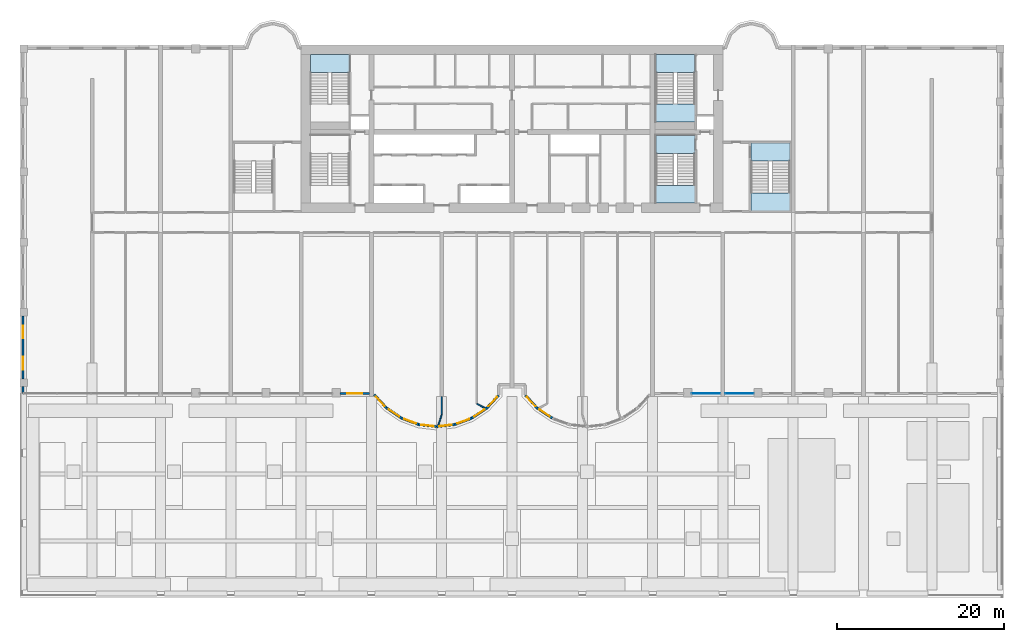
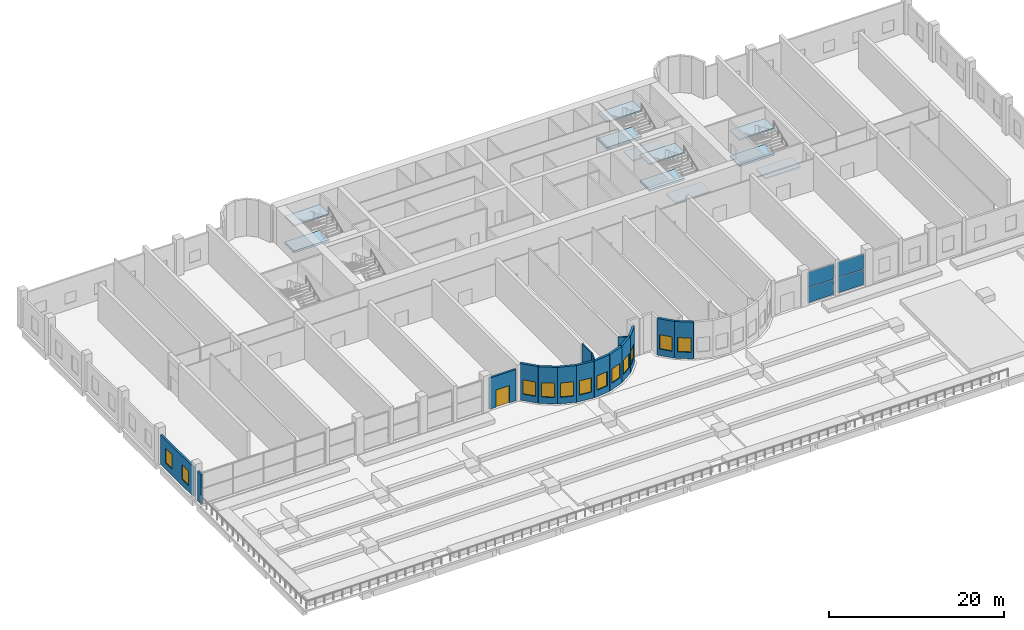
# One storey, part 8 of 20: 16 walls, 12 windows, 11 slabs, 4 plates, 1 door, 13 openings, 6 elements without a shape of their own.
"""IFC4 building model written with IfcOpenShell, lengths in metres."""

from ifc_helpers import new_model, si_unit, direction, frame, frame_2d, origin, origin_2d, place, context, subcontext, project, spatial, polyline, rectangle, outline, extrude, source, transform, mapped, material, layer, layer_set, type_object, element, fill, aggregate, save


model = new_model("IFC4")

# Units and contexts
model_context = context("Model", 3, precision=1e-05, world=origin(), true_north=direction((0.0, 1.0)))
body_context = subcontext(model_context, "Body", "Model", "MODEL_VIEW")
ifc_project = project(units=[si_unit("LENGTHUNIT", "METRE"), si_unit("AREAUNIT", "SQUARE_METRE"), si_unit("VOLUMEUNIT", "CUBIC_METRE"), si_unit("PLANEANGLEUNIT", "RADIAN"), si_unit("MASSUNIT", "GRAM", prefix="KILO")], contexts=[model_context])

# Site, building, storey
site_placement = place(None, origin())
site = spatial("IfcSite", under=ifc_project, at=site_placement, CompositionType="ELEMENT")
building_placement = place(site_placement, origin())
building = spatial("IfcBuilding", under=site, at=building_placement, Name="Vanashikhar Sky Hotel", CompositionType="ELEMENT")
storey_placement = place(building_placement, frame((0.0, 0.0, 6.0)))
storey = spatial("IfcBuildingStorey", under=building, at=storey_placement, Name="L01", CompositionType="ELEMENT", Elevation=6.0)

# Curtain wall, plates
ifc_material_1 = material(Name="Glass", Category="glass")
ifc_layer_1 = layer(ifc_material_1, 0.159912109375)
ifc_layer_set_1 = layer_set([ifc_layer_1], Name="Garden lounge curtain wall")
curtain_wall_type = type_object("IfcCurtainWallType", Name="Garden lounge curtain wall", PredefinedType="NOTDEFINED", material=ifc_layer_set_1)
curtain_wall_1_placement = place(storey_placement, origin())
curtain_wall_1 = element("IfcCurtainWall", 1, at=curtain_wall_1_placement, inside=storey, type_object=curtain_wall_type, Name="Garden lounge curtain wall", PredefinedType="NOTDEFINED")
ifc_layer_2 = layer(ifc_material_1, 0.028076171875)
ifc_layer_set_2 = layer_set([ifc_layer_2], Name="Podium curtain wall panel 28")
plate_type = type_object("IfcPlateType", Name="Podium curtain wall panel 28", PredefinedType="CURTAIN_PANEL", material=ifc_layer_set_2)
shared_shape_1 = source(origin(), body_context, "Body", "SweptSolid", [
    extrude(rectangle(XDim=3.405029296875, YDim=0.028076171875, at=origin_2d()), origin(), (0.0, 0.0, 1.0), 2.094970703125),
])
plate_1_placement = place(storey_placement, frame((73.612548828125, 0.375, 0.06005859375), z_axis=(0.0, 0.0, 1.0), x_axis=(1.0, 0.0, 0.0)))
plate_1 = element("IfcPlate", 2, at=plate_1_placement, type_object=plate_type, Name="CW-2.101 panel 1.1", PredefinedType="CURTAIN_PANEL", context=body_context, shape_type="MappedRepresentation", body=[
    mapped(shared_shape_1, transform((0.0, 0.0, 0.0), scale=1.0)),
])
plate_2_placement = place(storey_placement, frame((73.612548828125, 0.375, 2.21484375), z_axis=(0.0, 0.0, 1.0), x_axis=(1.0, 0.0, 0.0)))
plate_2 = element("IfcPlate", 3, at=plate_2_placement, type_object=plate_type, Name="CW-2.101 panel 1.2", PredefinedType="CURTAIN_PANEL", context=body_context, shape_type="MappedRepresentation", body=[
    mapped(shared_shape_1, transform((0.0, 0.0, 0.0), scale=1.0)),
])
aggregate(curtain_wall_1, [plate_1, plate_2])

curtain_wall_2_placement = place(storey_placement, origin())
curtain_wall_2 = element("IfcCurtainWall", 4, at=curtain_wall_2_placement, inside=storey, type_object=curtain_wall_type, Name="Garden lounge curtain wall", PredefinedType="NOTDEFINED")
plate_3_placement = place(storey_placement, frame((77.58740234375, 0.375, 0.06005859375), z_axis=(0.0, 0.0, 1.0), x_axis=(1.0, 0.0, 0.0)))
plate_3 = element("IfcPlate", 5, at=plate_3_placement, type_object=plate_type, Name="CW-2.102 panel 1.1", PredefinedType="CURTAIN_PANEL", context=body_context, shape_type="MappedRepresentation", body=[
    mapped(shared_shape_1, transform((0.0, 0.0, 0.0), scale=1.0)),
])
plate_4_placement = place(storey_placement, frame((77.58740234375, 0.375, 2.21484375), z_axis=(0.0, 0.0, 1.0), x_axis=(1.0, 0.0, 0.0)))
plate_4 = element("IfcPlate", 6, at=plate_4_placement, type_object=plate_type, Name="CW-2.102 panel 1.2", PredefinedType="CURTAIN_PANEL", context=body_context, shape_type="MappedRepresentation", body=[
    mapped(shared_shape_1, transform((0.0, 0.0, 0.0), scale=1.0)),
])
aggregate(curtain_wall_2, [plate_3, plate_4])

# Stair, slabs
ifc_material_2 = material(Name="Concrete M40", Category="concrete")
stair_type = type_object("IfcStairType", Name="Exit stair 2150", PredefinedType="DOUBLE_RETURN_STAIR", material=ifc_material_2)
stair_1_placement = place(storey_placement, origin())
stair_1 = element("IfcStair", 7, at=stair_1_placement, inside=storey, type_object=stair_type, Name="L01 Exit stair 2", PredefinedType="DOUBLE_RETURN_STAIR")
ifc_layer_3 = layer(ifc_material_2, 0.199951171875)
ifc_layer_set_3 = layer_set([ifc_layer_3], Name="Stair landing 200")
slab_type_1 = type_object("IfcSlabType", Name="Stair landing 200", PredefinedType="LANDING", material=ifc_layer_set_3)
shared_shape_2 = source(origin(), body_context, "Body", "SweptSolid", [
    extrude(outline(polyline([(72.25, 23.10009765625), (72.25, 25.25), (67.60009765625, 25.25), (67.60009765625, 23.10009765625), (72.25, 23.10009765625)])), origin(), (0.0, 0.0, 1.0), 0.199951171875),
])
slab_1_placement = place(storey_placement, frame((0.0, 0.0, 1.60009765625)))
slab_1 = element("IfcSlab", 8, at=slab_1_placement, type_object=slab_type_1, Name="ST-C2 landing 1", PredefinedType="LANDING", context=body_context, shape_type="MappedRepresentation", body=[
    mapped(shared_shape_2, transform((0.0, 0.0, 0.0), scale=1.0)),
])
shared_shape_3 = source(origin(), body_context, "Body", "SweptSolid", [
    extrude(outline(polyline([(72.25, 29.050048828125), (72.25, 31.199951171875), (67.60009765625, 31.199951171875), (67.60009765625, 29.050048828125), (72.25, 29.050048828125)])), origin(), (0.0, 0.0, 1.0), 0.2001953125),
])
slab_2_placement = place(storey_placement, frame((0.0, 0.0, 3.39990234375)))
slab_2 = element("IfcSlab", 9, at=slab_2_placement, type_object=slab_type_1, Name="ST-C2 landing 2", PredefinedType="LANDING", context=body_context, shape_type="MappedRepresentation", body=[
    mapped(shared_shape_3, transform((0.0, 0.0, 0.0), scale=1.0)),
])
aggregate(stair_1, [slab_1, slab_2])

# Slab
ifc_layer_4 = layer(ifc_material_2, 0.280029296875)
ifc_layer_set_4 = layer_set([ifc_layer_4], Name="Stair floor landing 280")
slab_type_2 = type_object("IfcSlabType", Name="Stair floor landing 280", PredefinedType="LANDING", material=ifc_layer_set_4)
shared_shape_4 = source(origin(), body_context, "Body", "SweptSolid", [
    extrude(outline(polyline([(72.25, 29.050048828125), (72.25, 31.199951171875), (67.60009765625, 31.199951171875), (67.60009765625, 29.050048828125), (72.25, 29.050048828125)])), origin(), (0.0, 0.0, 1.0), 0.280029296875),
])
slab_3_placement = place(storey_placement, frame((0.0, 0.0, -0.280029296875)))
element("IfcSlab", 10, at=slab_3_placement, inside=storey, type_object=slab_type_2, Name="Exit stair 2 floor landing", PredefinedType="LANDING", context=body_context, shape_type="MappedRepresentation", body=[
    mapped(shared_shape_4, transform((0.0, 0.0, 0.0), scale=1.0)),
])

# Stair, slabs
stair_2_placement = place(storey_placement, origin())
stair_2 = element("IfcStair", 11, at=stair_2_placement, inside=storey, type_object=stair_type, Name="L01 Exit stair 4", PredefinedType="DOUBLE_RETURN_STAIR")
shared_shape_5 = source(origin(), body_context, "Body", "SweptSolid", [
    extrude(outline(polyline([(83.60009765625, 22.199951171875), (83.60009765625, 24.35009765625), (78.949951171875, 24.35009765625), (78.949951171875, 22.199951171875), (83.60009765625, 22.199951171875)])), origin(), (0.0, 0.0, 1.0), 0.199951171875),
])
slab_4_placement = place(storey_placement, frame((0.0, 0.0, 1.60009765625)))
slab_4 = element("IfcSlab", 12, at=slab_4_placement, type_object=slab_type_1, Name="ST-E landing 1", PredefinedType="LANDING", context=body_context, shape_type="MappedRepresentation", body=[
    mapped(shared_shape_5, transform((0.0, 0.0, 0.0), scale=1.0)),
])
shared_shape_6 = source(origin(), body_context, "Body", "SweptSolid", [
    extrude(outline(polyline([(83.60009765625, 28.14990234375), (83.60009765625, 30.300048828125), (78.949951171875, 30.300048828125), (78.949951171875, 28.14990234375), (83.60009765625, 28.14990234375)])), origin(), (0.0, 0.0, 1.0), 0.2001953125),
])
slab_5_placement = place(storey_placement, frame((0.0, 0.0, 3.39990234375)))
slab_5 = element("IfcSlab", 13, at=slab_5_placement, type_object=slab_type_1, Name="ST-E landing 2", PredefinedType="LANDING", context=body_context, shape_type="MappedRepresentation", body=[
    mapped(shared_shape_6, transform((0.0, 0.0, 0.0), scale=1.0)),
])
aggregate(stair_2, [slab_4, slab_5])

# Slab
shared_shape_7 = source(origin(), body_context, "Body", "SweptSolid", [
    extrude(outline(polyline([(83.60009765625, 28.14990234375), (83.60009765625, 30.300048828125), (78.949951171875, 30.300048828125), (78.949951171875, 28.14990234375), (83.60009765625, 28.14990234375)])), origin(), (0.0, 0.0, 1.0), 0.280029296875),
])
slab_6_placement = place(storey_placement, frame((0.0, 0.0, -0.280029296875)))
element("IfcSlab", 14, at=slab_6_placement, inside=storey, type_object=slab_type_2, Name="Exit stair 4 floor landing", PredefinedType="LANDING", context=body_context, shape_type="MappedRepresentation", body=[
    mapped(shared_shape_7, transform((0.0, 0.0, 0.0), scale=1.0)),
])

# Stair, slab
stair_3_placement = place(storey_placement, origin())
stair_3 = element("IfcStair", 15, at=stair_3_placement, inside=storey, type_object=stair_type, Name="L01 Exit stair 5", PredefinedType="DOUBLE_RETURN_STAIR")
shared_shape_8 = source(origin(), body_context, "Body", "SweptSolid", [
    extrude(outline(polyline([(30.949951171875, 38.75), (30.949951171875, 40.89990234375), (26.300048828125, 40.89990234375), (26.300048828125, 38.75), (30.949951171875, 38.75)])), origin(), (0.0, 0.0, 1.0), 0.2001953125),
])
slab_7_placement = place(storey_placement, frame((0.0, 0.0, 3.39990234375)))
slab_7 = element("IfcSlab", 16, at=slab_7_placement, type_object=slab_type_1, Name="ST-C3 landing 2", PredefinedType="LANDING", context=body_context, shape_type="MappedRepresentation", body=[
    mapped(shared_shape_8, transform((0.0, 0.0, 0.0), scale=1.0)),
])
aggregate(stair_3, [slab_7])

# Slab
shared_shape_9 = source(origin(), body_context, "Body", "SweptSolid", [
    extrude(outline(polyline([(30.949951171875, 38.75), (30.949951171875, 40.89990234375), (26.300048828125, 40.89990234375), (26.300048828125, 38.75), (30.949951171875, 38.75)])), origin(), (0.0, 0.0, 1.0), 0.280029296875),
])
slab_8_placement = place(storey_placement, frame((0.0, 0.0, -0.280029296875)))
element("IfcSlab", 17, at=slab_8_placement, inside=storey, type_object=slab_type_2, Name="Exit stair 5 floor landing", PredefinedType="LANDING", context=body_context, shape_type="MappedRepresentation", body=[
    mapped(shared_shape_9, transform((0.0, 0.0, 0.0), scale=1.0)),
])

# Stair, slabs
stair_4_placement = place(storey_placement, origin())
stair_4 = element("IfcStair", 18, at=stair_4_placement, inside=storey, type_object=stair_type, Name="L01 Exit stair 6", PredefinedType="DOUBLE_RETURN_STAIR")
shared_shape_10 = source(origin(), body_context, "Body", "SweptSolid", [
    extrude(outline(polyline([(72.25, 32.800048828125), (72.25, 34.949951171875), (67.60009765625, 34.949951171875), (67.60009765625, 32.800048828125), (72.25, 32.800048828125)])), origin(), (0.0, 0.0, 1.0), 0.199951171875),
])
slab_9_placement = place(storey_placement, frame((0.0, 0.0, 1.60009765625)))
slab_9 = element("IfcSlab", 19, at=slab_9_placement, type_object=slab_type_1, Name="ST-C4 landing 1", PredefinedType="LANDING", context=body_context, shape_type="MappedRepresentation", body=[
    mapped(shared_shape_10, transform((0.0, 0.0, 0.0), scale=1.0)),
])
shared_shape_11 = source(origin(), body_context, "Body", "SweptSolid", [
    extrude(outline(polyline([(72.25, 38.75), (72.25, 40.89990234375), (67.60009765625, 40.89990234375), (67.60009765625, 38.75), (72.25, 38.75)])), origin(), (0.0, 0.0, 1.0), 0.2001953125),
])
slab_10_placement = place(storey_placement, frame((0.0, 0.0, 3.39990234375)))
slab_10 = element("IfcSlab", 20, at=slab_10_placement, type_object=slab_type_1, Name="ST-C4 landing 2", PredefinedType="LANDING", context=body_context, shape_type="MappedRepresentation", body=[
    mapped(shared_shape_11, transform((0.0, 0.0, 0.0), scale=1.0)),
])
aggregate(stair_4, [slab_9, slab_10])

# Slab
shared_shape_12 = source(origin(), body_context, "Body", "SweptSolid", [
    extrude(outline(polyline([(72.25, 38.75), (72.25, 40.89990234375), (67.60009765625, 40.89990234375), (67.60009765625, 38.75), (72.25, 38.75)])), origin(), (0.0, 0.0, 1.0), 0.280029296875),
])
slab_11_placement = place(storey_placement, frame((0.0, 0.0, -0.280029296875)))
element("IfcSlab", 21, at=slab_11_placement, inside=storey, type_object=slab_type_2, Name="Exit stair 6 floor landing", PredefinedType="LANDING", context=body_context, shape_type="MappedRepresentation", body=[
    mapped(shared_shape_12, transform((0.0, 0.0, 0.0), scale=1.0)),
])

# Wall, opening, window
ifc_material_3 = material(Name="Concrete M50", Category="concrete")
ifc_layer_5 = layer(ifc_material_3, 0.300048828125)
ifc_layer_set_5 = layer_set([ifc_layer_5], Name="Lobe wall 300")
wall_type_1 = type_object("IfcWallType", Name="Lobe wall 300", PredefinedType="SOLIDWALL", material=ifc_layer_set_5)
shared_shape_13 = source(origin(), body_context, "Body", "SweptSolid", [
    extrude(rectangle(XDim=2.066650390625, YDim=0.300048828125, at=frame_2d((1.033203125, 0.0))), origin(), (0.0, 0.0, 1.0), 5.1201171875),
])
wall_1_placement = place(storey_placement, frame((52.0, 0.155517578125, 0.0), z_axis=(0.0, 0.0, 1.0), x_axis=(0.675355439877, -0.737492393065, 0.0)))
wall_1 = element("IfcWall", 22, at=wall_1_placement, inside=storey, type_object=wall_type_1, Name="Lobe wall", PredefinedType="SOLIDWALL", context=body_context, shape_type="MappedRepresentation", body=[
    mapped(shared_shape_13, transform((0.0, 0.0, 0.0), scale=1.0)),
])
shared_shape_14 = source(origin(), body_context, "Body", "SweptSolid", [
    extrude(rectangle(XDim=1.5, YDim=2.0, at=frame_2d((0.75, 1.0))), frame((0.0, 0.16015625, 0.0), z_axis=(0.0, -1.0, 0.0), x_axis=(1.0, 0.0, 0.0)), (0.0, 0.0, 1.0), 0.320068359375),
])
opening_1_placement = place(wall_1_placement, frame((0.283203125, 0.0, 0.89990234375)))
opening_1 = element("IfcOpeningElement", 23, at=opening_1_placement, cuts=wall_1, Name="Opening WN-2", PredefinedType="OPENING", context=body_context, shape_type="MappedRepresentation", body=[
    mapped(shared_shape_14, transform((0.0, 0.0, 0.0), scale=1.0)),
])
window_type = type_object("IfcWindowType", Name="Lobe window 1500 x 2000", PartitioningType="SINGLE_PANEL", PredefinedType="WINDOW", material=ifc_material_1)
shared_shape_15 = source(origin(), body_context, "Body", "SweptSolid", [
    extrude(rectangle(XDim=1.5, YDim=2.0, at=frame_2d((0.75, 1.0))), frame((0.0, 0.030029296875, 0.0), z_axis=(0.0, -1.0, 0.0), x_axis=(1.0, 0.0, 0.0)), (0.0, 0.0, 1.0), 0.06005859375),
])
window_1_placement = place(opening_1_placement, origin())
window_1 = element("IfcWindow", 24, at=window_1_placement, inside=storey, type_object=window_type, Name="Window WN-2", OverallHeight=2.0, OverallWidth=1.5, PartitioningType="SINGLE_PANEL", PredefinedType="WINDOW", context=body_context, shape_type="MappedRepresentation", body=[
    mapped(shared_shape_15, transform((0.0, 0.0, 0.0), scale=1.0)),
])
fill(opening_1, window_1)

wall_2_placement = place(storey_placement, frame((47.404296875, -1.36865234375, 0.0), z_axis=(0.0, 0.0, 1.0), x_axis=(0.675355439877, 0.737492393065, 0.0)))
wall_2 = element("IfcWall", 25, at=wall_2_placement, inside=storey, type_object=wall_type_1, Name="Lobe wall", PredefinedType="SOLIDWALL", context=body_context, shape_type="MappedRepresentation", body=[
    mapped(shared_shape_13, transform((0.0, 0.0, 0.0), scale=1.0)),
])
opening_2_placement = place(wall_2_placement, frame((0.283203125, 0.0, 0.89990234375)))
opening_2 = element("IfcOpeningElement", 26, at=opening_2_placement, cuts=wall_2, Name="Opening WN-2", PredefinedType="OPENING", context=body_context, shape_type="MappedRepresentation", body=[
    mapped(shared_shape_14, transform((0.0, 0.0, 0.0), scale=1.0)),
])
window_2_placement = place(opening_2_placement, origin())
window_2 = element("IfcWindow", 27, at=window_2_placement, inside=storey, type_object=window_type, Name="Window WN-2", OverallHeight=2.0, OverallWidth=1.5, PartitioningType="SINGLE_PANEL", PredefinedType="WINDOW", context=body_context, shape_type="MappedRepresentation", body=[
    mapped(shared_shape_15, transform((0.0, 0.0, 0.0), scale=1.0)),
])
fill(opening_2, window_2)

shared_shape_16 = source(origin(), body_context, "Body", "SweptSolid", [
    extrude(rectangle(XDim=2.17578125, YDim=0.300048828125, at=frame_2d((1.087890625, 0.0))), origin(), (0.0, 0.0, 1.0), 5.1201171875),
])
wall_3_placement = place(storey_placement, frame((53.395751953125, -1.36865234375, 0.0), z_axis=(0.0, 0.0, 1.0), x_axis=(0.829590746428, -0.558371913192, 0.0)))
wall_3 = element("IfcWall", 28, at=wall_3_placement, inside=storey, type_object=wall_type_1, Name="Lobe wall", PredefinedType="SOLIDWALL", context=body_context, shape_type="MappedRepresentation", body=[
    mapped(shared_shape_16, transform((0.0, 0.0, 0.0), scale=1.0)),
])
opening_3_placement = place(wall_3_placement, frame((0.337890625, 0.0, 0.89990234375)))
opening_3 = element("IfcOpeningElement", 29, at=opening_3_placement, cuts=wall_3, Name="Opening WN-2", PredefinedType="OPENING", context=body_context, shape_type="MappedRepresentation", body=[
    mapped(shared_shape_14, transform((0.0, 0.0, 0.0), scale=1.0)),
])
window_3_placement = place(opening_3_placement, origin())
window_3 = element("IfcWindow", 30, at=window_3_placement, inside=storey, type_object=window_type, Name="Window WN-2", OverallHeight=2.0, OverallWidth=1.5, PartitioningType="SINGLE_PANEL", PredefinedType="WINDOW", context=body_context, shape_type="MappedRepresentation", body=[
    mapped(shared_shape_15, transform((0.0, 0.0, 0.0), scale=1.0)),
])
fill(opening_3, window_3)

wall_4_placement = place(storey_placement, frame((35.395751953125, -1.36865234375, 0.0), z_axis=(0.0, 0.0, 1.0), x_axis=(0.829590746428, -0.558371913192, 0.0)))
wall_4 = element("IfcWall", 31, at=wall_4_placement, inside=storey, type_object=wall_type_1, Name="Lobe wall", PredefinedType="SOLIDWALL", context=body_context, shape_type="MappedRepresentation", body=[
    mapped(shared_shape_16, transform((0.0, 0.0, 0.0), scale=1.0)),
])
opening_4_placement = place(wall_4_placement, frame((0.337890625, 0.0, 0.89990234375)))
opening_4 = element("IfcOpeningElement", 32, at=opening_4_placement, cuts=wall_4, Name="Opening WN-2", PredefinedType="OPENING", context=body_context, shape_type="MappedRepresentation", body=[
    mapped(shared_shape_14, transform((0.0, 0.0, 0.0), scale=1.0)),
])
window_4_placement = place(opening_4_placement, origin())
window_4 = element("IfcWindow", 33, at=window_4_placement, inside=storey, type_object=window_type, Name="Window WN-2", OverallHeight=2.0, OverallWidth=1.5, PartitioningType="SINGLE_PANEL", PredefinedType="WINDOW", context=body_context, shape_type="MappedRepresentation", body=[
    mapped(shared_shape_15, transform((0.0, 0.0, 0.0), scale=1.0)),
])
fill(opening_4, window_4)

wall_5_placement = place(storey_placement, frame((37.20068359375, -2.58349609375, 0.0), z_axis=(0.0, 0.0, 1.0), x_axis=(0.93754555999, -0.347862505801, 0.0)))
wall_5 = element("IfcWall", 34, at=wall_5_placement, inside=storey, type_object=wall_type_1, Name="Lobe wall", PredefinedType="SOLIDWALL", context=body_context, shape_type="MappedRepresentation", body=[
    mapped(shared_shape_16, transform((0.0, 0.0, 0.0), scale=1.0)),
])
opening_5_placement = place(wall_5_placement, frame((0.337890625, 0.0, 0.89990234375)))
opening_5 = element("IfcOpeningElement", 35, at=opening_5_placement, cuts=wall_5, Name="Opening WN-2", PredefinedType="OPENING", context=body_context, shape_type="MappedRepresentation", body=[
    mapped(shared_shape_14, transform((0.0, 0.0, 0.0), scale=1.0)),
])
window_5_placement = place(opening_5_placement, origin())
window_5 = element("IfcWindow", 36, at=window_5_placement, inside=storey, type_object=window_type, Name="Window WN-2", OverallHeight=2.0, OverallWidth=1.5, PartitioningType="SINGLE_PANEL", PredefinedType="WINDOW", context=body_context, shape_type="MappedRepresentation", body=[
    mapped(shared_shape_15, transform((0.0, 0.0, 0.0), scale=1.0)),
])
fill(opening_5, window_5)

wall_6_placement = place(storey_placement, frame((45.59912109375, -2.58349609375, 0.0), z_axis=(0.0, 0.0, 1.0), x_axis=(0.829625727223, 0.558319937607, 0.0)))
wall_6 = element("IfcWall", 37, at=wall_6_placement, inside=storey, type_object=wall_type_1, Name="Lobe wall", PredefinedType="SOLIDWALL", context=body_context, shape_type="MappedRepresentation", body=[
    mapped(shared_shape_16, transform((0.0, 0.0, 0.0), scale=1.0)),
])
opening_6_placement = place(wall_6_placement, frame((0.337890625, 0.0, 0.89990234375)))
opening_6 = element("IfcOpeningElement", 38, at=opening_6_placement, cuts=wall_6, Name="Opening WN-2", PredefinedType="OPENING", context=body_context, shape_type="MappedRepresentation", body=[
    mapped(shared_shape_14, transform((0.0, 0.0, 0.0), scale=1.0)),
])
window_6_placement = place(opening_6_placement, origin())
window_6 = element("IfcWindow", 39, at=window_6_placement, inside=storey, type_object=window_type, Name="Window WN-2", OverallHeight=2.0, OverallWidth=1.5, PartitioningType="SINGLE_PANEL", PredefinedType="WINDOW", context=body_context, shape_type="MappedRepresentation", body=[
    mapped(shared_shape_15, transform((0.0, 0.0, 0.0), scale=1.0)),
])
fill(opening_6, window_6)

shared_shape_17 = source(origin(), body_context, "Body", "SweptSolid", [
    extrude(rectangle(XDim=2.174560546875, YDim=0.300048828125, at=frame_2d((1.08740234375, 0.0))), origin(), (0.0, 0.0, 1.0), 5.1201171875),
])
wall_7_placement = place(storey_placement, frame((39.240478515625, -3.34033203125, 0.0), z_axis=(0.0, 0.0, 1.0), x_axis=(0.993001132889, -0.118104826659, 0.0)))
wall_7 = element("IfcWall", 40, at=wall_7_placement, inside=storey, type_object=wall_type_1, Name="Lobe wall", PredefinedType="SOLIDWALL", context=body_context, shape_type="MappedRepresentation", body=[
    mapped(shared_shape_17, transform((0.0, 0.0, 0.0), scale=1.0)),
])
opening_7_placement = place(wall_7_placement, frame((0.33740234375, 0.0, 0.89990234375)))
opening_7 = element("IfcOpeningElement", 41, at=opening_7_placement, cuts=wall_7, Name="Opening WN-2", PredefinedType="OPENING", context=body_context, shape_type="MappedRepresentation", body=[
    mapped(shared_shape_14, transform((0.0, 0.0, 0.0), scale=1.0)),
])
window_7_placement = place(opening_7_placement, origin())
window_7 = element("IfcWindow", 42, at=window_7_placement, inside=storey, type_object=window_type, Name="Window WN-2", OverallHeight=2.0, OverallWidth=1.5, PartitioningType="SINGLE_PANEL", PredefinedType="WINDOW", context=body_context, shape_type="MappedRepresentation", body=[
    mapped(shared_shape_15, transform((0.0, 0.0, 0.0), scale=1.0)),
])
fill(opening_7, window_7)

shared_shape_18 = source(origin(), body_context, "Body", "SweptSolid", [
    extrude(rectangle(XDim=2.1748046875, YDim=0.300048828125, at=frame_2d((1.08740234375, 0.0))), origin(), (0.0, 0.0, 1.0), 5.1201171875),
])
wall_8_placement = place(storey_placement, frame((41.39990234375, -3.59716796875, 0.0), z_axis=(0.0, 0.0, 1.0), x_axis=(0.993002698611, 0.118091661648, 0.0)))
wall_8 = element("IfcWall", 43, at=wall_8_placement, inside=storey, type_object=wall_type_1, Name="Lobe wall", PredefinedType="SOLIDWALL", context=body_context, shape_type="MappedRepresentation", body=[
    mapped(shared_shape_18, transform((0.0, 0.0, 0.0), scale=1.0)),
])
opening_8_placement = place(wall_8_placement, frame((0.33740234375, 0.0, 0.89990234375)))
opening_8 = element("IfcOpeningElement", 44, at=opening_8_placement, cuts=wall_8, Name="Opening WN-2", PredefinedType="OPENING", context=body_context, shape_type="MappedRepresentation", body=[
    mapped(shared_shape_14, transform((0.0, 0.0, 0.0), scale=1.0)),
])
window_8_placement = place(opening_8_placement, origin())
window_8 = element("IfcWindow", 45, at=window_8_placement, inside=storey, type_object=window_type, Name="Window WN-2", OverallHeight=2.0, OverallWidth=1.5, PartitioningType="SINGLE_PANEL", PredefinedType="WINDOW", context=body_context, shape_type="MappedRepresentation", body=[
    mapped(shared_shape_15, transform((0.0, 0.0, 0.0), scale=1.0)),
])
fill(opening_8, window_8)

shared_shape_19 = source(origin(), body_context, "Body", "SweptSolid", [
    extrude(rectangle(XDim=2.175537109375, YDim=0.300048828125, at=frame_2d((1.087890625, 0.0))), origin(), (0.0, 0.0, 1.0), 5.1201171875),
])
wall_9_placement = place(storey_placement, frame((43.5595703125, -3.34033203125, 0.0), z_axis=(0.0, 0.0, 1.0), x_axis=(0.937531979054, 0.347899106424, 0.0)))
wall_9 = element("IfcWall", 46, at=wall_9_placement, inside=storey, type_object=wall_type_1, Name="Lobe wall", PredefinedType="SOLIDWALL", context=body_context, shape_type="MappedRepresentation", body=[
    mapped(shared_shape_19, transform((0.0, 0.0, 0.0), scale=1.0)),
])
opening_9_placement = place(wall_9_placement, frame((0.337890625, 0.0, 0.89990234375)))
opening_9 = element("IfcOpeningElement", 47, at=opening_9_placement, cuts=wall_9, Name="Opening WN-2", PredefinedType="OPENING", context=body_context, shape_type="MappedRepresentation", body=[
    mapped(shared_shape_14, transform((0.0, 0.0, 0.0), scale=1.0)),
])
window_9_placement = place(opening_9_placement, origin())
window_9 = element("IfcWindow", 48, at=window_9_placement, inside=storey, type_object=window_type, Name="Window WN-2", OverallHeight=2.0, OverallWidth=1.5, PartitioningType="SINGLE_PANEL", PredefinedType="WINDOW", context=body_context, shape_type="MappedRepresentation", body=[
    mapped(shared_shape_15, transform((0.0, 0.0, 0.0), scale=1.0)),
])
fill(opening_9, window_9)

shared_shape_20 = source(origin(), body_context, "Body", "SweptSolid", [
    extrude(rectangle(XDim=2.162109375, YDim=0.300048828125, at=frame_2d((1.0810546875, 0.0))), origin(), (0.0, 0.0, 1.0), 5.1201171875),
])
wall_10_placement = place(storey_placement, frame((33.935546875, 0.225830078125, 0.0), z_axis=(0.0, 0.0, 1.0), x_axis=(0.67537173084, -0.737477474355, 0.0)))
wall_10 = element("IfcWall", 49, at=wall_10_placement, inside=storey, type_object=wall_type_1, Name="Lobe wall", PredefinedType="SOLIDWALL", context=body_context, shape_type="MappedRepresentation", body=[
    mapped(shared_shape_20, transform((0.0, 0.0, 0.0), scale=1.0)),
])
opening_10_placement = place(wall_10_placement, frame((0.3310546875, 0.0, 0.89990234375)))
opening_10 = element("IfcOpeningElement", 50, at=opening_10_placement, cuts=wall_10, Name="Opening WN-2", PredefinedType="OPENING", context=body_context, shape_type="MappedRepresentation", body=[
    mapped(shared_shape_14, transform((0.0, 0.0, 0.0), scale=1.0)),
])
window_10_placement = place(opening_10_placement, origin())
window_10 = element("IfcWindow", 51, at=window_10_placement, inside=storey, type_object=window_type, Name="Window WN-2", OverallHeight=2.0, OverallWidth=1.5, PartitioningType="SINGLE_PANEL", PredefinedType="WINDOW", context=body_context, shape_type="MappedRepresentation", body=[
    mapped(shared_shape_15, transform((0.0, 0.0, 0.0), scale=1.0)),
])
fill(opening_10, window_10)

# Wall, opening, door
ifc_layer_6 = layer(ifc_material_3, 0.25)
ifc_layer_set_6 = layer_set([ifc_layer_6], Name="Rear and end board-marked wall 250")
wall_type_2 = type_object("IfcWallType", Name="Rear and end board-marked wall 250", PredefinedType="SOLIDWALL", material=ifc_layer_set_6)
shared_shape_21 = source(origin(), body_context, "Body", "SweptSolid", [
    extrude(rectangle(XDim=3.52490234375, YDim=0.25, at=frame_2d((1.762451171875, 0.0))), origin(), (0.0, 0.0, 1.0), 4.3701171875),
])
wall_11_placement = place(storey_placement, frame((29.85009765625, 0.375, 0.0), z_axis=(0.0, 0.0, 1.0), x_axis=(1.0, 0.0, 0.0)))
wall_11 = element("IfcWall", 52, at=wall_11_placement, inside=storey, type_object=wall_type_2, Name="Podium external wall", PredefinedType="SOLIDWALL", context=body_context, shape_type="MappedRepresentation", body=[
    mapped(shared_shape_21, transform((0.0, 0.0, 0.0), scale=1.0)),
])
shared_shape_22 = source(origin(), body_context, "Body", "SweptSolid", [
    extrude(rectangle(XDim=1.800048828125, YDim=2.39990234375, at=frame_2d((0.89990234375, 1.199951171875))), frame((0.0, 0.135009765625, 0.0), z_axis=(0.0, -1.0, 0.0), x_axis=(1.0, 0.0, 0.0)), (0.0, 0.0, 1.0), 0.27001953125),
])
opening_11_placement = place(wall_11_placement, frame((0.862548828125, 0.0, 0.0)))
opening_11 = element("IfcOpeningElement", 53, at=opening_11_placement, cuts=wall_11, Name="Opening DX-2-102", PredefinedType="OPENING", context=body_context, shape_type="MappedRepresentation", body=[
    mapped(shared_shape_22, transform((0.0, 0.0, 0.0), scale=1.0)),
])
ifc_material_4 = material(Name="Aluminium", Category="aluminium")
door_type = type_object("IfcDoorType", Name="Garden double door 1800 x 2400", OperationType="NOTDEFINED", PredefinedType="DOOR", material=ifc_material_4)
shared_shape_23 = source(origin(), body_context, "Body", "SweptSolid", [
    extrude(rectangle(XDim=1.800048828125, YDim=2.39990234375, at=frame_2d((0.89990234375, 1.199951171875))), frame((0.0, 0.02490234375, 0.0), z_axis=(0.0, -1.0, 0.0), x_axis=(1.0, 0.0, 0.0)), (0.0, 0.0, 1.0), 0.050048828125),
])
door_placement = place(opening_11_placement, origin())
door = element("IfcDoor", 54, at=door_placement, inside=storey, type_object=door_type, Name="Garden double door", OperationType="DOUBLE_DOOR_SINGLE_SWING", OverallHeight=2.39990234375, OverallWidth=1.800048828125, PredefinedType="DOOR", context=body_context, shape_type="MappedRepresentation", body=[
    mapped(shared_shape_23, transform((0.0, 0.0, 0.0), scale=1.0)),
])
fill(opening_11, door)

# Wall
shared_shape_24 = source(origin(), body_context, "Body", "SweptSolid", [
    extrude(rectangle(XDim=0.824951171875, YDim=0.25, at=frame_2d((0.41259765625, 0.0))), origin(), (0.0, 0.0, 1.0), 4.1201171875),
])
wall_12_placement = place(storey_placement, frame((-8.02490234375, 1.199951171875, 0.0), z_axis=(0.0, 0.0, 1.0), x_axis=(0.0, -1.0, 0.0)))
element("IfcWall", 55, at=wall_12_placement, inside=storey, type_object=wall_type_2, Name="Podium external wall", PredefinedType="SOLIDWALL", context=body_context, shape_type="MappedRepresentation", body=[
    mapped(shared_shape_24, transform((0.0, 0.0, 0.0), scale=1.0)),
])

# Wall, openings, windows
shared_shape_25 = source(origin(), body_context, "Body", "SweptSolid", [
    extrude(rectangle(XDim=7.5, YDim=0.25, at=frame_2d((3.75, 0.0))), origin(), (0.0, 0.0, 1.0), 4.1201171875),
])
wall_13_placement = place(storey_placement, frame((-8.02490234375, 9.60009765625, 0.0), z_axis=(0.0, 0.0, 1.0), x_axis=(0.0, -1.0, 0.0)))
wall_13 = element("IfcWall", 56, at=wall_13_placement, inside=storey, type_object=wall_type_2, Name="Podium external wall", PredefinedType="SOLIDWALL", context=body_context, shape_type="MappedRepresentation", body=[
    mapped(shared_shape_25, transform((0.0, 0.0, 0.0), scale=1.0)),
])
shared_shape_26 = source(origin(), body_context, "Body", "SweptSolid", [
    extrude(rectangle(XDim=1.5, YDim=2.0, at=frame_2d((0.75, 1.0))), frame((0.0, 0.135009765625, 0.0), z_axis=(0.0, -1.0, 0.0), x_axis=(1.0, 0.0, 0.0)), (0.0, 0.0, 1.0), 0.27001953125),
])
opening_12_placement = place(wall_13_placement, frame((1.125, 0.0, 0.89990234375)))
opening_12 = element("IfcOpeningElement", 57, at=opening_12_placement, cuts=wall_13, Name="Opening WN-2", PredefinedType="OPENING", context=body_context, shape_type="MappedRepresentation", body=[
    mapped(shared_shape_26, transform((0.0, 0.0, 0.0), scale=1.0)),
])
opening_13_placement = place(wall_13_placement, frame((4.875, 0.0, 0.89990234375)))
opening_13 = element("IfcOpeningElement", 58, at=opening_13_placement, cuts=wall_13, Name="Opening WN-2", PredefinedType="OPENING", context=body_context, shape_type="MappedRepresentation", body=[
    mapped(shared_shape_26, transform((0.0, 0.0, 0.0), scale=1.0)),
])
window_11_placement = place(opening_12_placement, origin())
window_11 = element("IfcWindow", 59, at=window_11_placement, inside=storey, type_object=window_type, Name="Window WN-2", OverallHeight=2.0, OverallWidth=1.5, PartitioningType="SINGLE_PANEL", PredefinedType="WINDOW", context=body_context, shape_type="MappedRepresentation", body=[
    mapped(shared_shape_15, transform((0.0, 0.0, 0.0), scale=1.0)),
])
fill(opening_12, window_11)
window_12_placement = place(opening_13_placement, origin())
window_12 = element("IfcWindow", 60, at=window_12_placement, inside=storey, type_object=window_type, Name="Window WN-2", OverallHeight=2.0, OverallWidth=1.5, PartitioningType="SINGLE_PANEL", PredefinedType="WINDOW", context=body_context, shape_type="MappedRepresentation", body=[
    mapped(shared_shape_15, transform((0.0, 0.0, 0.0), scale=1.0)),
])
fill(opening_13, window_12)

# Walls
ifc_material_5 = material(Name="Gypsum plasterboard partition")
ifc_layer_7 = layer(ifc_material_5, 0.14990234375)
ifc_layer_set_7 = layer_set([ifc_layer_7], Name="Corridor and demising partition 150")
wall_type_3 = type_object("IfcWallType", Name="Corridor and demising partition 150", PredefinedType="PARTITIONING", material=ifc_layer_set_7)
shared_shape_27 = source(origin(), body_context, "Body", "SweptSolid", [
    extrude(rectangle(XDim=2.177978515625, YDim=0.14990234375, at=frame_2d((1.0888671875, 0.0))), origin(), (0.0, 0.0, 1.0), 5.1201171875),
])
wall_14_placement = place(storey_placement, frame((42.0, -2.177978515625, 0.0), z_axis=(0.0, 0.0, 1.0), x_axis=(0.0, 1.0, 0.0)))
element("IfcWall", 61, at=wall_14_placement, inside=storey, type_object=wall_type_3, Name="W-L01-PW023", PredefinedType="PARTITIONING", context=body_context, shape_type="MappedRepresentation", body=[
    mapped(shared_shape_27, transform((0.0, 0.0, 0.0), scale=1.0)),
])
shared_shape_28 = source(origin(), body_context, "Body", "SweptSolid", [
    extrude(rectangle(XDim=1.0576171875, YDim=0.14990234375, at=frame_2d((0.52880859375, 0.0))), origin(), (0.0, 0.0, 1.0), 5.1201171875),
])
wall_15_placement = place(storey_placement, frame((47.139892578125, -1.365966796875, 0.0), z_axis=(0.0, 0.0, 1.0), x_axis=(-0.888723819054, 0.458442988218, 0.0)))
element("IfcWall", 62, at=wall_15_placement, inside=storey, type_object=wall_type_3, Name="W-L01-PW010B0", PredefinedType="PARTITIONING", context=body_context, shape_type="MappedRepresentation", body=[
    mapped(shared_shape_28, transform((0.0, 0.0, 0.0), scale=1.0)),
])
shared_shape_29 = source(origin(), body_context, "Body", "SweptSolid", [
    extrude(rectangle(XDim=1.308349609375, YDim=0.14990234375, at=frame_2d((0.654296875, 0.0))), origin(), (0.0, 0.0, 1.0), 5.1201171875),
])
wall_16_placement = place(storey_placement, frame((41.597900390625, -3.423095703125, 0.0), z_axis=(0.0, 0.0, 1.0), x_axis=(0.307313512187, 0.951608325535, 0.0)))
element("IfcWall", 63, at=wall_16_placement, inside=storey, type_object=wall_type_3, Name="W-L01-PW023B0", PredefinedType="PARTITIONING", context=body_context, shape_type="MappedRepresentation", body=[
    mapped(shared_shape_29, transform((0.0, 0.0, 0.0), scale=1.0)),
])

save(model, "model.ifc")
